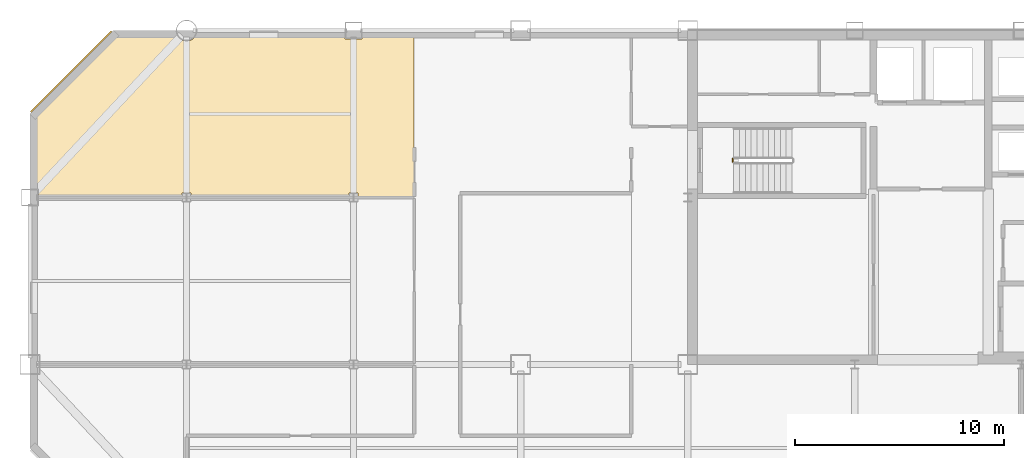
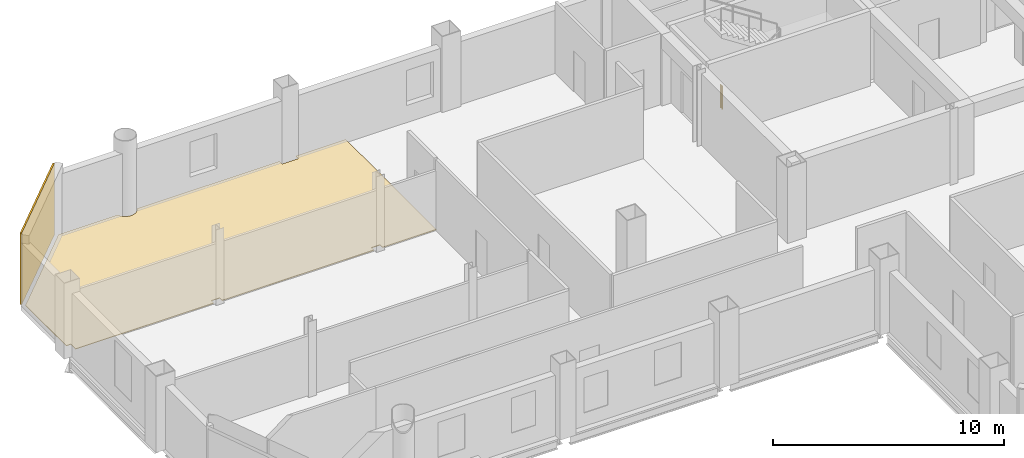
# One storey, part 9 of 10: 2 coverings, 1 railing.
"""IFC4 building model written with IfcOpenShell, lengths in metres."""

from ifc_helpers import new_model, si_unit, direction, frame, origin, origin_2d, place, context, subcontext, project, spatial, polyline, rectangle, circle, outline, extrude, material, layer, layer_set, type_object, element, save


model = new_model("IFC4")

# Units and contexts
model_context = context("Model", 3, precision=1e-05, world=origin(), true_north=direction((0.0, 1.0)))
body_context = subcontext(model_context, "Body", "Model", "MODEL_VIEW")
ifc_project = project(units=[si_unit("LENGTHUNIT", "METRE"), si_unit("AREAUNIT", "SQUARE_METRE"), si_unit("VOLUMEUNIT", "CUBIC_METRE"), si_unit("PLANEANGLEUNIT", "RADIAN"), si_unit("MASSUNIT", "GRAM", prefix="KILO")], contexts=[model_context])

# Site, building, storey
site_placement = place(None, origin())
site = spatial("IfcSite", under=ifc_project, at=site_placement, CompositionType="ELEMENT")
building_placement = place(site_placement, origin())
building = spatial("IfcBuilding", under=site, at=building_placement, Name="Qianrong Seaharbour Tower", CompositionType="ELEMENT")
storey_placement = place(building_placement, frame((0.0, 0.0, 241.800048828125)))
storey = spatial("IfcBuildingStorey", under=building, at=storey_placement, Name="L58", CompositionType="ELEMENT", Elevation=241.800048828125)

# Coverings
ifc_material_1 = material(Name="Unitised red brick cladding on Precast concrete C45/55", Category="masonry")
ifc_layer_1 = layer(ifc_material_1, 0.080078125)
ifc_layer_set_1 = layer_set([ifc_layer_1], Name="Unitised red brick cladding on Precast concrete C45/55")
covering_type_1 = type_object("IfcCoveringType", Name="COV-CLAD-RED-BRICK-80", PredefinedType="CLADDING", material=ifc_layer_set_1)
covering_1_placement = place(storey_placement, frame((10.9716796875, 50.0283203125, 0.0), z_axis=(0.0, 0.0, 1.0), x_axis=(0.707106781187, 0.707106781187, 0.0)))
element("IfcCovering", 1, at=covering_1_placement, inside=storey, type_object=covering_type_1, Name="L58 Chamfer Corner Brick Cladding 04", PredefinedType="CLADDING", context=body_context, shape_type="SweptSolid", body=[
    extrude(rectangle(XDim=5.456787109375, YDim=0.080078125, at=origin_2d()), origin(), (0.0, 0.0, 1.0), 3.77490234375),
])
ifc_material_2 = material(Name="Honed granite stone flooring", Category="masonry")
ifc_layer_2 = layer(ifc_material_2, 0.030029296875)
ifc_layer_set_2 = layer_set([ifc_layer_2], Name="Honed granite stone flooring")
covering_type_2 = type_object("IfcCoveringType", Name="COV-FLOOR-GRANITE-30", PredefinedType="FLOORING", material=ifc_layer_set_2)
covering_2_placement = place(storey_placement, origin())
element("IfcCovering", 2, at=covering_2_placement, inside=storey, type_object=covering_type_2, Name="L58 Hospitality Dining Room 3 Finish Flooring", PredefinedType="FLOORING", context=body_context, shape_type="SweptSolid", body=[
    extrude(outline(polyline([(9.175048828125, 47.927490234375), (13.072509765625, 51.824951171875), (16.022705078125, 51.824951171875), (16.02880859375, 51.8046875), (16.075927734375, 51.716796875), (16.139404296875, 51.639404296875), (16.216796875, 51.575927734375), (16.3046875, 51.52880859375), (16.400390625, 51.499755859375), (16.5, 51.489990234375), (16.599609375, 51.499755859375), (16.6953125, 51.52880859375), (16.783203125, 51.575927734375), (16.860595703125, 51.639404296875), (16.924072265625, 51.716796875), (16.97119140625, 51.8046875), (16.977294921875, 51.824951171875), (24.090087890625, 51.824951171875), (24.090087890625, 51.590087890625), (24.909912109375, 51.590087890625), (24.909912109375, 51.824951171875), (27.39990234375, 51.824951171875), (27.39990234375, 44.0), (24.7099609375, 44.0), (24.7099609375, 44.2099609375), (24.2900390625, 44.2099609375), (24.2900390625, 44.0), (16.7099609375, 44.0), (16.7099609375, 44.2099609375), (16.2900390625, 44.2099609375), (16.2900390625, 44.0), (9.409912109375, 44.0), (9.409912109375, 44.409912109375), (9.175048828125, 44.409912109375), (9.175048828125, 47.927490234375)])), origin(), (0.0, 0.0, 1.0), 0.030029296875),
])

# Railing
ifc_material_3 = material(Name="Galvanized painted steel SN400B stair guard", Category="steel")
railing_type = type_object("IfcRailingType", Name="RAIL-STAIR-GUARD-1220", PredefinedType="GUARDRAIL", material=ifc_material_3)
railing_placement = place(storey_placement, frame((42.64990234375, 45.699951171875, 0.0)))
element("IfcRailing", 3, at=railing_placement, inside=storey, type_object=railing_type, Name="L58 ST-1 stair guard 4", PredefinedType="GUARDRAIL", context=body_context, shape_type="SweptSolid", body=[
    extrude(circle(Radius=0.02392578125, at=origin_2d()), frame((0.0, 0.0, 1.19580078125), z_axis=(0.0, 1.0, 0.0), x_axis=(-1.0, 0.0, 0.0)), (0.0, 0.0, 1.0), 0.150146484375),
    extrude(circle(Radius=0.02099609375, at=origin_2d()), origin(), (0.0, 0.0, 1.0), 1.171875),
    extrude(circle(Radius=0.02099609375, at=origin_2d()), frame((0.0, 0.150146484375, 0.0)), (0.0, 0.0, 1.0), 1.171875),
])

save(model, "model.ifc")
